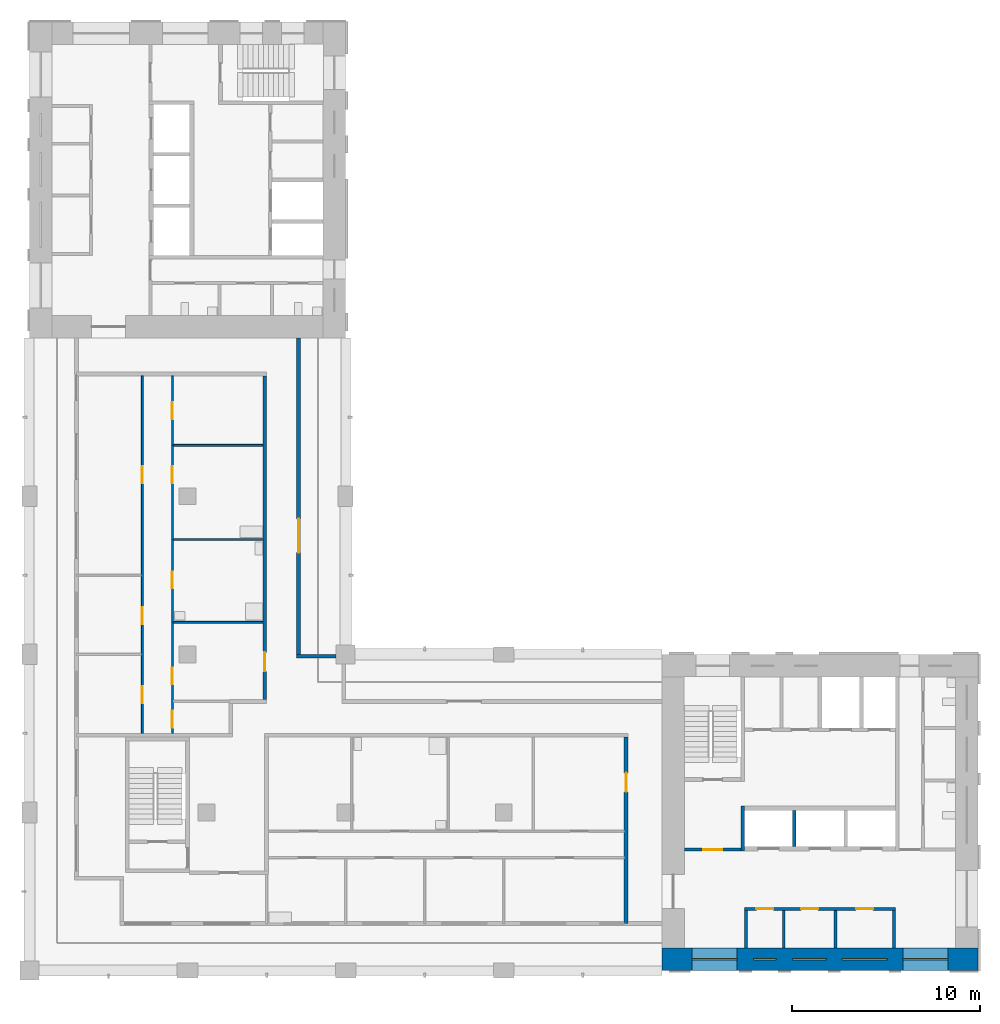
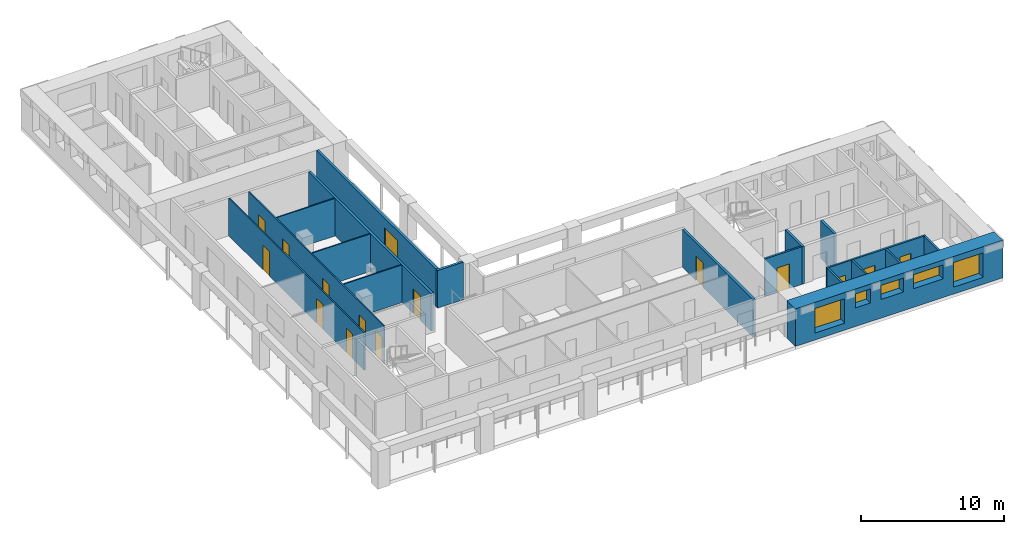
# One storey, part 3 of 9: 18 walls, 15 doors, 5 windows, 20 openings.
"""IFC4 building model written with IfcOpenShell, lengths in metres."""

from ifc_helpers import new_model, si_unit, direction, frame, frame_2d, origin, place, context, subcontext, project, spatial, rectangle, extrude, material, layer, layer_set, type_object, element, fill, save


model = new_model("IFC4")

# Units and contexts
model_context = context("Model", 3, precision=1e-05, world=origin(), true_north=direction((0.0, 1.0)))
body_context = subcontext(model_context, "Body", "Model", "MODEL_VIEW")
ifc_project = project(units=[si_unit("LENGTHUNIT", "METRE"), si_unit("AREAUNIT", "SQUARE_METRE"), si_unit("VOLUMEUNIT", "CUBIC_METRE"), si_unit("PLANEANGLEUNIT", "RADIAN"), si_unit("MASSUNIT", "GRAM", prefix="KILO")], contexts=[model_context])

# Site, building, storey
site_placement = place(None, origin())
site = spatial("IfcSite", under=ifc_project, at=site_placement, CompositionType="ELEMENT")
building_placement = place(site_placement, origin())
building = spatial("IfcBuilding", under=site, at=building_placement, Name="Vermilion Gate Residences", CompositionType="ELEMENT")
storey_placement = place(building_placement, frame((0.0, 0.0, 228.199951171875)))
storey = spatial("IfcBuildingStorey", under=building, at=storey_placement, Name="L59", CompositionType="ELEMENT", Elevation=228.199951171875)

# Walls
ifc_material_1 = material(Name="Masonry blockwork", Category="masonry")
ifc_layer_1 = layer(ifc_material_1, 0.14990234375)
ifc_layer_set_1 = layer_set([ifc_layer_1], Name="BLOCKWORK PARTITION 150 EI 120")
wall_type_1 = type_object("IfcWallType", Name="BLOCKWORK PARTITION 150 EI 120", PredefinedType="PARTITIONING", material=ifc_layer_set_1)
for number, where, z_axis, x_axis, name in (
    (1, (46.47509765625, 9.60009765625, 0.0), (0.0, 0.0, 1.0), (0.0, 1.0, 0.0), "Core room partition A59-RW-W"),
    (2, (54.324951171875, 9.60009765625, 0.0), (0.0, 0.0, 1.0), (0.0, 1.0, 0.0), "Core room partition A59-RW-E"),
    (3, (48.47509765625, 9.60009765625, 0.0), (0.0, 0.0, 1.0), (0.0, 1.0, 0.0), "Core room partition A59-SR-P0"),
    (4, (51.215087890625, 9.60009765625, 0.0), (0.0, 0.0, 1.0), (0.0, 1.0, 0.0), "Core room partition A59-SR-P1"),
):
    element("IfcWall", number, at=place(storey_placement, frame(where, z_axis=z_axis, x_axis=x_axis)), inside=storey, type_object=wall_type_1, Name=name, PredefinedType="PARTITIONING", context=body_context, shape_type="SweptSolid", body=[
        extrude(rectangle(XDim=2.0, YDim=0.14990234375, at=frame_2d((1.0, 0.0))), origin(), (0.0, 0.0, 1.0), 3.219970703125),
    ])

# Wall, openings, doors
wall_1_placement = place(storey_placement, frame((46.39990234375, 11.675048828125, 0.0), z_axis=(0.0, 0.0, 1.0), x_axis=(1.0, 0.0, 0.0)))
wall_1 = element("IfcWall", 5, at=wall_1_placement, inside=storey, type_object=wall_type_1, Name="Core room partition A59-LR-F", PredefinedType="PARTITIONING", context=body_context, shape_type="SweptSolid", body=[
    extrude(rectangle(XDim=8.0, YDim=0.14990234375, at=frame_2d((4.0, 0.0))), origin(), (0.0, 0.0, 1.0), 3.219970703125),
])
opening_1_placement = place(wall_1_placement, frame((0.625, 0.0, 0.0)))
opening_1 = element("IfcOpeningElement", 6, at=opening_1_placement, cuts=wall_1, Name="Opening DK59002", PredefinedType="OPENING", context=body_context, shape_type="SweptSolid", body=[
    extrude(rectangle(XDim=0.89990234375, YDim=2.10009765625, at=frame_2d((0.449951171875, 1.050048828125))), frame((0.0, 0.0849609375, 0.0), z_axis=(0.0, -1.0, 0.0), x_axis=(1.0, 0.0, 0.0)), (0.0, 0.0, 1.0), 0.169921875),
])
opening_2_placement = place(wall_1_placement, frame((2.9951171875, 0.0, 0.0)))
opening_2 = element("IfcOpeningElement", 7, at=opening_2_placement, cuts=wall_1, Name="Opening DK59003", PredefinedType="OPENING", context=body_context, shape_type="SweptSolid", body=[
    extrude(rectangle(XDim=0.89990234375, YDim=2.10009765625, at=frame_2d((0.449951171875, 1.050048828125))), frame((0.0, 0.0849609375, 0.0), z_axis=(0.0, -1.0, 0.0), x_axis=(1.0, 0.0, 0.0)), (0.0, 0.0, 1.0), 0.169921875),
])
opening_3_placement = place(wall_1_placement, frame((5.919921875, 0.0, 0.0)))
opening_3 = element("IfcOpeningElement", 8, at=opening_3_placement, cuts=wall_1, Name="Opening DK59004", PredefinedType="OPENING", context=body_context, shape_type="SweptSolid", body=[
    extrude(rectangle(XDim=0.89990234375, YDim=2.10009765625, at=frame_2d((0.449951171875, 1.050048828125))), frame((0.0, 0.0849609375, 0.0), z_axis=(0.0, -1.0, 0.0), x_axis=(1.0, 0.0, 0.0)), (0.0, 0.0, 1.0), 0.169921875),
])
ifc_material_2 = material(Name="Steel", Category="steel")
door_type_1 = type_object("IfcDoorType", Name="SERVICE ROOM DOOR FD60 900 X 2100", OperationType="SINGLE_SWING_LEFT", PredefinedType="DOOR", material=ifc_material_2)
door_1_placement = place(opening_1_placement, frame((0.89990234375, 0.0, 0.0), z_axis=(0.0, 0.0, 1.0), x_axis=(-1.0, 0.0, 0.0)))
door_1 = element("IfcDoor", 9, at=door_1_placement, inside=storey, type_object=door_type_1, Name="Mail room A59", OperationType="SINGLE_SWING_RIGHT", OverallHeight=2.10009765625, OverallWidth=0.89990234375, PredefinedType="DOOR", context=body_context, shape_type="SweptSolid", body=[
    extrude(rectangle(XDim=0.89990234375, YDim=2.10009765625, at=frame_2d((0.449951171875, 1.050048828125))), frame((0.0, 0.02490234375, 0.0), z_axis=(0.0, -1.0, 0.0), x_axis=(1.0, 0.0, 0.0)), (0.0, 0.0, 1.0), 0.050048828125),
])
fill(opening_1, door_1)
door_2_placement = place(opening_2_placement, frame((0.89990234375, 0.0, 0.0), z_axis=(0.0, 0.0, 1.0), x_axis=(-1.0, 0.0, 0.0)))
door_2 = element("IfcDoor", 10, at=door_2_placement, inside=storey, type_object=door_type_1, Name="Cleaner's store A59", OperationType="SINGLE_SWING_RIGHT", OverallHeight=2.10009765625, OverallWidth=0.89990234375, PredefinedType="DOOR", context=body_context, shape_type="SweptSolid", body=[
    extrude(rectangle(XDim=0.89990234375, YDim=2.10009765625, at=frame_2d((0.449951171875, 1.050048828125))), frame((0.0, 0.02490234375, 0.0), z_axis=(0.0, -1.0, 0.0), x_axis=(1.0, 0.0, 0.0)), (0.0, 0.0, 1.0), 0.050048828125),
])
fill(opening_2, door_2)
door_3_placement = place(opening_3_placement, origin())
door_3 = element("IfcDoor", 11, at=door_3_placement, inside=storey, type_object=door_type_1, Name="Electrical room A59", OperationType="SINGLE_SWING_LEFT", OverallHeight=2.10009765625, OverallWidth=0.89990234375, PredefinedType="DOOR", context=body_context, shape_type="SweptSolid", body=[
    extrude(rectangle(XDim=0.89990234375, YDim=2.10009765625, at=frame_2d((0.449951171875, 1.050048828125))), frame((0.0, 0.02490234375, 0.0), z_axis=(0.0, -1.0, 0.0), x_axis=(1.0, 0.0, 0.0)), (0.0, 0.0, 1.0), 0.050048828125),
])
fill(opening_3, door_3)

# Wall, opening, door
wall_2_placement = place(storey_placement, frame((43.199951171875, 14.824951171875, 0.0), z_axis=(0.0, 0.0, 1.0), x_axis=(1.0, 0.0, 0.0)))
wall_2 = element("IfcWall", 12, at=wall_2_placement, inside=storey, type_object=wall_type_1, Name="Core room partition A59-VW-S", PredefinedType="PARTITIONING", context=body_context, shape_type="SweptSolid", body=[
    extrude(rectangle(XDim=3.0, YDim=0.14990234375, at=frame_2d((1.5, 0.0))), origin(), (0.0, 0.0, 1.0), 3.219970703125),
])
opening_4_placement = place(wall_2_placement, frame((1.0, 0.0, 0.0)))
opening_4 = element("IfcOpeningElement", 13, at=opening_4_placement, cuts=wall_2, Name="Opening DK59012", PredefinedType="OPENING", context=body_context, shape_type="SweptSolid", body=[
    extrude(rectangle(XDim=1.0, YDim=2.10009765625, at=frame_2d((0.5, 1.050048828125))), frame((0.0, 0.0849609375, 0.0), z_axis=(0.0, -1.0, 0.0), x_axis=(1.0, 0.0, 0.0)), (0.0, 0.0, 1.0), 0.169921875),
])
ifc_material_3 = material(Name="Steel", Category="steel")
door_type_2 = type_object("IfcDoorType", Name="FIRE DOOR FD60 1000 X 2100", OperationType="SINGLE_SWING_LEFT", PredefinedType="DOOR", material=ifc_material_3)
door_4_placement = place(opening_4_placement, frame((1.0, 0.0, 0.0), z_axis=(0.0, 0.0, 1.0), x_axis=(-1.0, 0.0, 0.0)))
door_4 = element("IfcDoor", 14, at=door_4_placement, inside=storey, type_object=door_type_2, Name="Stair vestibule door A59", OperationType="SINGLE_SWING_RIGHT", OverallHeight=2.10009765625, OverallWidth=1.0, PredefinedType="DOOR", context=body_context, shape_type="SweptSolid", body=[
    extrude(rectangle(XDim=1.0, YDim=2.10009765625, at=frame_2d((0.5, 1.050048828125))), frame((0.0, 0.02490234375, 0.0), z_axis=(0.0, -1.0, 0.0), x_axis=(1.0, 0.0, 0.0)), (0.0, 0.0, 1.0), 0.050048828125),
])
fill(opening_4, door_4)

# Wall
ifc_material_4 = material(Name="Insulated steel stud wall with terracotta rainscreen", Category="masonry")
ifc_layer_2 = layer(ifc_material_4, 0.199951171875)
ifc_layer_set_2 = layer_set([ifc_layer_2], Name="EXTERNAL WALL 200 TERRACOTTA RAINSCREEN")
wall_type_2 = type_object("IfcWallType", Name="EXTERNAL WALL 200 TERRACOTTA RAINSCREEN", PredefinedType="SOLIDWALL", material=ifc_layer_set_2)
wall_3_placement = place(storey_placement, frame((24.699951171875, 25.10009765625, 0.0), z_axis=(0.0, 0.0, 1.0), x_axis=(-1.0, 0.0, 0.0)))
element("IfcWall", 15, at=wall_3_placement, inside=storey, type_object=wall_type_2, Name="External wall", PredefinedType="SOLIDWALL", context=body_context, shape_type="SweptSolid", body=[
    extrude(rectangle(XDim=2.099853515625, YDim=0.199951171875, at=frame_2d((1.0498046875, 0.0))), origin(), (0.0, 0.0, 1.0), 3.219970703125),
])

# Wall, opening, door
wall_4_placement = place(storey_placement, frame((22.699951171875, 25.199951171875, 0.0), z_axis=(0.0, 0.0, 1.0), x_axis=(0.0, 1.0, 0.0)))
wall_4 = element("IfcWall", 16, at=wall_4_placement, inside=storey, type_object=wall_type_2, Name="External wall", PredefinedType="SOLIDWALL", context=body_context, shape_type="SweptSolid", body=[
    extrude(rectangle(XDim=16.800048828125, YDim=0.199951171875, at=frame_2d((8.39990234375, 0.0))), origin(), (0.0, 0.0, 1.0), 3.219970703125),
])
opening_5_placement = place(wall_4_placement, frame((5.39990234375, 0.0, 0.0)))
opening_5 = element("IfcOpeningElement", 17, at=opening_5_placement, cuts=wall_4, Name="Opening DE59016", PredefinedType="OPENING", context=body_context, shape_type="SweptSolid", body=[
    extrude(rectangle(XDim=1.800048828125, YDim=2.39990234375, at=frame_2d((0.89990234375, 1.199951171875))), frame((0.0, 0.10986328125, 0.0), z_axis=(0.0, -1.0, 0.0), x_axis=(1.0, 0.0, 0.0)), (0.0, 0.0, 1.0), 0.219970703125),
])
ifc_material_5 = material(Name="Aluminium and clear glass", Category="aluminium")
door_type_3 = type_object("IfcDoorType", Name="GLAZED EXTERNAL DOOR 1800 X 2400", OperationType="DOUBLE_DOOR_SINGLE_SWING", PredefinedType="DOOR", material=ifc_material_5)
door_5_placement = place(opening_5_placement, frame((1.800048828125, 0.0, 0.0), z_axis=(0.0, 0.0, 1.0), x_axis=(-1.0, 0.0, 0.0)))
door_5 = element("IfcDoor", 18, at=door_5_placement, inside=storey, type_object=door_type_3, Name="Gallery door", OperationType="DOUBLE_DOOR_SINGLE_SWING", OverallHeight=2.39990234375, OverallWidth=1.800048828125, PredefinedType="DOOR", context=body_context, shape_type="SweptSolid", body=[
    extrude(rectangle(XDim=1.800048828125, YDim=2.39990234375, at=frame_2d((0.89990234375, 1.199951171875))), frame((0.0, 0.02490234375, 0.0), z_axis=(0.0, -1.0, 0.0), x_axis=(1.0, 0.0, 0.0)), (0.0, 0.0, 1.0), 0.050048828125),
])
fill(opening_5, door_5)

# Walls
ifc_material_6 = material(Name="Plasterboard on steel studs", Category="steel")
ifc_layer_3 = layer(ifc_material_6, 0.10009765625)
ifc_layer_set_3 = layer_set([ifc_layer_3], Name="PARTITION 100")
wall_type_3 = type_object("IfcWallType", Name="PARTITION 100", PredefinedType="PARTITIONING", material=ifc_layer_set_3)
for number, where, z_axis, x_axis, name in (
    (19, (16.050048828125, 26.89990234375, 0.0), (0.0, 0.0, 1.0), (1.0, 0.0, 0.0), "Partition"),
    (20, (16.050048828125, 31.300048828125, 0.0), (0.0, 0.0, 1.0), (1.0, 0.0, 0.0), "Partition"),
    (21, (16.050048828125, 36.300048828125, 0.0), (0.0, 0.0, 1.0), (1.0, 0.0, 0.0), "Partition"),
):
    element("IfcWall", number, at=place(storey_placement, frame(where, z_axis=z_axis, x_axis=x_axis)), inside=storey, type_object=wall_type_3, Name=name, PredefinedType="PARTITIONING", context=body_context, shape_type="SweptSolid", body=[
        extrude(rectangle(XDim=4.75, YDim=0.10009765625, at=frame_2d((2.375, 0.0))), origin(), (0.0, 0.0, 1.0), 3.219970703125),
    ])

# Wall, openings, doors
wall_5_placement = place(storey_placement, frame((14.39990234375, 21.0, 0.0), z_axis=(0.0, 0.0, 1.0), x_axis=(0.0, 1.0, 0.0)))
wall_5 = element("IfcWall", 22, at=wall_5_placement, inside=storey, type_object=wall_type_3, Name="Partition", PredefinedType="PARTITIONING", context=body_context, shape_type="SweptSolid", body=[
    extrude(rectangle(XDim=19.0, YDim=0.10009765625, at=frame_2d((9.5, 0.0))), origin(), (0.0, 0.0, 1.0), 3.219970703125),
])
opening_6_placement = place(wall_5_placement, frame((1.60009765625, 0.0, 0.0)))
opening_6 = element("IfcOpeningElement", 23, at=opening_6_placement, cuts=wall_5, Name="Opening DA58010", PredefinedType="OPENING", context=body_context, shape_type="SweptSolid", body=[
    extrude(rectangle(XDim=0.89990234375, YDim=2.10009765625, at=frame_2d((0.449951171875, 1.050048828125))), frame((0.0, 0.06005859375, 0.0), z_axis=(0.0, -1.0, 0.0), x_axis=(1.0, 0.0, 0.0)), (0.0, 0.0, 1.0), 0.1201171875),
])
opening_7_placement = place(wall_5_placement, frame((5.800048828125, 0.0, 0.0)))
opening_7 = element("IfcOpeningElement", 24, at=opening_7_placement, cuts=wall_5, Name="Opening DA58011", PredefinedType="OPENING", context=body_context, shape_type="SweptSolid", body=[
    extrude(rectangle(XDim=0.89990234375, YDim=2.10009765625, at=frame_2d((0.449951171875, 1.050048828125))), frame((0.0, 0.06005859375, 0.0), z_axis=(0.0, -1.0, 0.0), x_axis=(1.0, 0.0, 0.0)), (0.0, 0.0, 1.0), 0.1201171875),
])
opening_8_placement = place(wall_5_placement, frame((13.300048828125, 0.0, 0.0)))
opening_8 = element("IfcOpeningElement", 25, at=opening_8_placement, cuts=wall_5, Name="Opening DA58012", PredefinedType="OPENING", context=body_context, shape_type="SweptSolid", body=[
    extrude(rectangle(XDim=0.89990234375, YDim=2.10009765625, at=frame_2d((0.449951171875, 1.050048828125))), frame((0.0, 0.06005859375, 0.0), z_axis=(0.0, -1.0, 0.0), x_axis=(1.0, 0.0, 0.0)), (0.0, 0.0, 1.0), 0.1201171875),
])
ifc_material_7 = material(Name="Timber", Category="wood")
door_type_4 = type_object("IfcDoorType", Name="INTERIOR DOOR 900 X 2100", OperationType="SINGLE_SWING_LEFT", PredefinedType="DOOR", material=ifc_material_7)
door_6_placement = place(opening_6_placement, origin())
door_6 = element("IfcDoor", 26, at=door_6_placement, inside=storey, type_object=door_type_4, Name="Interior door", OperationType="SINGLE_SWING_LEFT", OverallHeight=2.10009765625, OverallWidth=0.89990234375, PredefinedType="DOOR", context=body_context, shape_type="SweptSolid", body=[
    extrude(rectangle(XDim=0.89990234375, YDim=2.10009765625, at=frame_2d((0.449951171875, 1.050048828125))), frame((0.0, 0.02490234375, 0.0), z_axis=(0.0, -1.0, 0.0), x_axis=(1.0, 0.0, 0.0)), (0.0, 0.0, 1.0), 0.050048828125),
])
fill(opening_6, door_6)
door_7_placement = place(opening_7_placement, origin())
door_7 = element("IfcDoor", 27, at=door_7_placement, inside=storey, type_object=door_type_4, Name="Interior door", OperationType="SINGLE_SWING_LEFT", OverallHeight=2.10009765625, OverallWidth=0.89990234375, PredefinedType="DOOR", context=body_context, shape_type="SweptSolid", body=[
    extrude(rectangle(XDim=0.89990234375, YDim=2.10009765625, at=frame_2d((0.449951171875, 1.050048828125))), frame((0.0, 0.02490234375, 0.0), z_axis=(0.0, -1.0, 0.0), x_axis=(1.0, 0.0, 0.0)), (0.0, 0.0, 1.0), 0.050048828125),
])
fill(opening_7, door_7)
door_8_placement = place(opening_8_placement, origin())
door_8 = element("IfcDoor", 28, at=door_8_placement, inside=storey, type_object=door_type_4, Name="Interior door", OperationType="SINGLE_SWING_LEFT", OverallHeight=2.10009765625, OverallWidth=0.89990234375, PredefinedType="DOOR", context=body_context, shape_type="SweptSolid", body=[
    extrude(rectangle(XDim=0.89990234375, YDim=2.10009765625, at=frame_2d((0.449951171875, 1.050048828125))), frame((0.0, 0.02490234375, 0.0), z_axis=(0.0, -1.0, 0.0), x_axis=(1.0, 0.0, 0.0)), (0.0, 0.0, 1.0), 0.050048828125),
])
fill(opening_8, door_8)

wall_6_placement = place(storey_placement, frame((16.0, 21.0, 0.0), z_axis=(0.0, 0.0, 1.0), x_axis=(0.0, 1.0, 0.0)))
wall_6 = element("IfcWall", 29, at=wall_6_placement, inside=storey, type_object=wall_type_3, Name="Partition", PredefinedType="PARTITIONING", context=body_context, shape_type="SweptSolid", body=[
    extrude(rectangle(XDim=19.0, YDim=0.10009765625, at=frame_2d((9.5, 0.0))), origin(), (0.0, 0.0, 1.0), 3.219970703125),
])
opening_9_placement = place(wall_6_placement, frame((2.60009765625, 0.0, 0.0)))
opening_9 = element("IfcOpeningElement", 30, at=opening_9_placement, cuts=wall_6, Name="Opening DA58013", PredefinedType="OPENING", context=body_context, shape_type="SweptSolid", body=[
    extrude(rectangle(XDim=0.89990234375, YDim=2.10009765625, at=frame_2d((0.449951171875, 1.050048828125))), frame((0.0, 0.06005859375, 0.0), z_axis=(0.0, -1.0, 0.0), x_axis=(1.0, 0.0, 0.0)), (0.0, 0.0, 1.0), 0.1201171875),
])
opening_10_placement = place(wall_6_placement, frame((0.300048828125, 0.0, 0.0)))
opening_10 = element("IfcOpeningElement", 31, at=opening_10_placement, cuts=wall_6, Name="Opening DA58014", PredefinedType="OPENING", context=body_context, shape_type="SweptSolid", body=[
    extrude(rectangle(XDim=0.89990234375, YDim=2.10009765625, at=frame_2d((0.449951171875, 1.050048828125))), frame((0.0, 0.06005859375, 0.0), z_axis=(0.0, -1.0, 0.0), x_axis=(1.0, 0.0, 0.0)), (0.0, 0.0, 1.0), 0.1201171875),
])
opening_11_placement = place(wall_6_placement, frame((7.699951171875, 0.0, 0.0)))
opening_11 = element("IfcOpeningElement", 32, at=opening_11_placement, cuts=wall_6, Name="Opening DA58015", PredefinedType="OPENING", context=body_context, shape_type="SweptSolid", body=[
    extrude(rectangle(XDim=0.89990234375, YDim=2.10009765625, at=frame_2d((0.449951171875, 1.050048828125))), frame((0.0, 0.06005859375, 0.0), z_axis=(0.0, -1.0, 0.0), x_axis=(1.0, 0.0, 0.0)), (0.0, 0.0, 1.0), 0.1201171875),
])
opening_12_placement = place(wall_6_placement, frame((13.300048828125, 0.0, 0.0)))
opening_12 = element("IfcOpeningElement", 33, at=opening_12_placement, cuts=wall_6, Name="Opening DA58016", PredefinedType="OPENING", context=body_context, shape_type="SweptSolid", body=[
    extrude(rectangle(XDim=0.89990234375, YDim=2.10009765625, at=frame_2d((0.449951171875, 1.050048828125))), frame((0.0, 0.06005859375, 0.0), z_axis=(0.0, -1.0, 0.0), x_axis=(1.0, 0.0, 0.0)), (0.0, 0.0, 1.0), 0.1201171875),
])
opening_13_placement = place(wall_6_placement, frame((16.699951171875, 0.0, 0.0)))
opening_13 = element("IfcOpeningElement", 34, at=opening_13_placement, cuts=wall_6, Name="Opening DA58017", PredefinedType="OPENING", context=body_context, shape_type="SweptSolid", body=[
    extrude(rectangle(XDim=0.89990234375, YDim=2.10009765625, at=frame_2d((0.449951171875, 1.050048828125))), frame((0.0, 0.06005859375, 0.0), z_axis=(0.0, -1.0, 0.0), x_axis=(1.0, 0.0, 0.0)), (0.0, 0.0, 1.0), 0.1201171875),
])
door_9_placement = place(opening_9_placement, frame((0.89990234375, 0.0, 0.0), z_axis=(0.0, 0.0, 1.0), x_axis=(-1.0, 0.0, 0.0)))
door_9 = element("IfcDoor", 35, at=door_9_placement, inside=storey, type_object=door_type_4, Name="Interior door", OperationType="SINGLE_SWING_RIGHT", OverallHeight=2.10009765625, OverallWidth=0.89990234375, PredefinedType="DOOR", context=body_context, shape_type="SweptSolid", body=[
    extrude(rectangle(XDim=0.89990234375, YDim=2.10009765625, at=frame_2d((0.449951171875, 1.050048828125))), frame((0.0, 0.02490234375, 0.0), z_axis=(0.0, -1.0, 0.0), x_axis=(1.0, 0.0, 0.0)), (0.0, 0.0, 1.0), 0.050048828125),
])
fill(opening_9, door_9)
door_10_placement = place(opening_10_placement, frame((0.89990234375, 0.0, 0.0), z_axis=(0.0, 0.0, 1.0), x_axis=(-1.0, 0.0, 0.0)))
door_10 = element("IfcDoor", 36, at=door_10_placement, inside=storey, type_object=door_type_4, Name="Interior door", OperationType="SINGLE_SWING_RIGHT", OverallHeight=2.10009765625, OverallWidth=0.89990234375, PredefinedType="DOOR", context=body_context, shape_type="SweptSolid", body=[
    extrude(rectangle(XDim=0.89990234375, YDim=2.10009765625, at=frame_2d((0.449951171875, 1.050048828125))), frame((0.0, 0.02490234375, 0.0), z_axis=(0.0, -1.0, 0.0), x_axis=(1.0, 0.0, 0.0)), (0.0, 0.0, 1.0), 0.050048828125),
])
fill(opening_10, door_10)
door_11_placement = place(opening_11_placement, frame((0.89990234375, 0.0, 0.0), z_axis=(0.0, 0.0, 1.0), x_axis=(-1.0, 0.0, 0.0)))
door_11 = element("IfcDoor", 37, at=door_11_placement, inside=storey, type_object=door_type_4, Name="Interior door", OperationType="SINGLE_SWING_RIGHT", OverallHeight=2.10009765625, OverallWidth=0.89990234375, PredefinedType="DOOR", context=body_context, shape_type="SweptSolid", body=[
    extrude(rectangle(XDim=0.89990234375, YDim=2.10009765625, at=frame_2d((0.449951171875, 1.050048828125))), frame((0.0, 0.02490234375, 0.0), z_axis=(0.0, -1.0, 0.0), x_axis=(1.0, 0.0, 0.0)), (0.0, 0.0, 1.0), 0.050048828125),
])
fill(opening_11, door_11)
door_12_placement = place(opening_12_placement, frame((0.89990234375, 0.0, 0.0), z_axis=(0.0, 0.0, 1.0), x_axis=(-1.0, 0.0, 0.0)))
door_12 = element("IfcDoor", 38, at=door_12_placement, inside=storey, type_object=door_type_4, Name="Interior door", OperationType="SINGLE_SWING_LEFT", OverallHeight=2.10009765625, OverallWidth=0.89990234375, PredefinedType="DOOR", context=body_context, shape_type="SweptSolid", body=[
    extrude(rectangle(XDim=0.89990234375, YDim=2.10009765625, at=frame_2d((0.449951171875, 1.050048828125))), frame((0.0, 0.02490234375, 0.0), z_axis=(0.0, -1.0, 0.0), x_axis=(1.0, 0.0, 0.0)), (0.0, 0.0, 1.0), 0.050048828125),
])
fill(opening_12, door_12)
door_13_placement = place(opening_13_placement, frame((0.89990234375, 0.0, 0.0), z_axis=(0.0, 0.0, 1.0), x_axis=(-1.0, 0.0, 0.0)))
door_13 = element("IfcDoor", 39, at=door_13_placement, inside=storey, type_object=door_type_4, Name="Interior door", OperationType="SINGLE_SWING_RIGHT", OverallHeight=2.10009765625, OverallWidth=0.89990234375, PredefinedType="DOOR", context=body_context, shape_type="SweptSolid", body=[
    extrude(rectangle(XDim=0.89990234375, YDim=2.10009765625, at=frame_2d((0.449951171875, 1.050048828125))), frame((0.0, 0.02490234375, 0.0), z_axis=(0.0, -1.0, 0.0), x_axis=(1.0, 0.0, 0.0)), (0.0, 0.0, 1.0), 0.050048828125),
])
fill(opening_13, door_13)

# Wall, opening, door
ifc_material_8 = material(Name="Fire-rated plasterboard on steel studs", Category="steel")
ifc_layer_4 = layer(ifc_material_8, 0.199951171875)
ifc_layer_set_4 = layer_set([ifc_layer_4], Name="PARTY WALL 200 EI 120")
wall_type_4 = type_object("IfcWallType", Name="PARTY WALL 200 EI 120", PredefinedType="PARTITIONING", material=ifc_layer_set_4)
wall_7_placement = place(storey_placement, frame((20.89990234375, 22.800048828125, 0.0), z_axis=(0.0, 0.0, 1.0), x_axis=(0.0, 1.0, 0.0)))
wall_7 = element("IfcWall", 40, at=wall_7_placement, inside=storey, type_object=wall_type_4, Name="Party and corridor wall", PredefinedType="PARTITIONING", context=body_context, shape_type="SweptSolid", body=[
    extrude(rectangle(XDim=17.199951171875, YDim=0.199951171875, at=frame_2d((8.60009765625, 0.0))), origin(), (0.0, 0.0, 1.0), 3.219970703125),
])
opening_14_placement = place(wall_7_placement, frame((1.5, 0.0, 0.0)))
opening_14 = element("IfcOpeningElement", 41, at=opening_14_placement, cuts=wall_7, Name="Opening DA58018", PredefinedType="OPENING", context=body_context, shape_type="SweptSolid", body=[
    extrude(rectangle(XDim=1.0, YDim=2.10009765625, at=frame_2d((0.5, 1.050048828125))), frame((0.0, 0.10986328125, 0.0), z_axis=(0.0, -1.0, 0.0), x_axis=(1.0, 0.0, 0.0)), (0.0, 0.0, 1.0), 0.219970703125),
])
ifc_material_9 = material(Name="Steel", Category="steel")
door_type_5 = type_object("IfcDoorType", Name="ENTRANCE DOOR 1000 X 2100 FD30", OperationType="SINGLE_SWING_LEFT", PredefinedType="DOOR", material=ifc_material_9)
door_14_placement = place(opening_14_placement, origin())
door_14 = element("IfcDoor", 42, at=door_14_placement, inside=storey, type_object=door_type_5, Name="Entrance door", OperationType="SINGLE_SWING_LEFT", OverallHeight=2.10009765625, OverallWidth=1.0, PredefinedType="DOOR", context=body_context, shape_type="SweptSolid", body=[
    extrude(rectangle(XDim=1.0, YDim=2.10009765625, at=frame_2d((0.5, 1.050048828125))), frame((0.0, 0.02490234375, 0.0), z_axis=(0.0, -1.0, 0.0), x_axis=(1.0, 0.0, 0.0)), (0.0, 0.0, 1.0), 0.050048828125),
])
fill(opening_14, door_14)

wall_8_placement = place(storey_placement, frame((40.10009765625, 10.89990234375, 0.0), z_axis=(0.0, 0.0, 1.0), x_axis=(0.0, 1.0, 0.0)))
wall_8 = element("IfcWall", 43, at=wall_8_placement, inside=storey, type_object=wall_type_4, Name="Party and corridor wall", PredefinedType="PARTITIONING", context=body_context, shape_type="SweptSolid", body=[
    extrude(rectangle(XDim=9.900146484375, YDim=0.199951171875, at=frame_2d((4.9501953125, 0.0))), origin(), (0.0, 0.0, 1.0), 3.219970703125),
])
opening_15_placement = place(wall_8_placement, frame((7.0, 0.0, 0.0)))
opening_15 = element("IfcOpeningElement", 44, at=opening_15_placement, cuts=wall_8, Name="Opening DA58019", PredefinedType="OPENING", context=body_context, shape_type="SweptSolid", body=[
    extrude(rectangle(XDim=1.0, YDim=2.10009765625, at=frame_2d((0.5, 1.050048828125))), frame((0.0, 0.10986328125, 0.0), z_axis=(0.0, -1.0, 0.0), x_axis=(1.0, 0.0, 0.0)), (0.0, 0.0, 1.0), 0.219970703125),
])
door_15_placement = place(opening_15_placement, origin())
door_15 = element("IfcDoor", 45, at=door_15_placement, inside=storey, type_object=door_type_5, Name="Entrance door", OperationType="SINGLE_SWING_RIGHT", OverallHeight=2.10009765625, OverallWidth=1.0, PredefinedType="DOOR", context=body_context, shape_type="SweptSolid", body=[
    extrude(rectangle(XDim=1.0, YDim=2.10009765625, at=frame_2d((0.5, 1.050048828125))), frame((0.0, 0.02490234375, 0.0), z_axis=(0.0, -1.0, 0.0), x_axis=(1.0, 0.0, 0.0)), (0.0, 0.0, 1.0), 0.050048828125),
])
fill(opening_15, door_15)

# Walls
ifc_material_10 = material(Name="Concrete C60", Category="concrete")
ifc_layer_5 = layer(ifc_material_10, 0.199951171875)
ifc_layer_set_5 = layer_set([ifc_layer_5], Name="RC CORE INTERNAL WALL 200 C60")
wall_type_5 = type_object("IfcWallType", Name="RC CORE INTERNAL WALL 200 C60", PredefinedType="SHEAR", material=ifc_layer_set_5)
wall_9_placement = place(storey_placement, frame((49.033447265625, 15.0, 0.0), z_axis=(0.0, 0.0, 1.0), x_axis=(0.0, 1.0, 0.0)))
element("IfcWall", 46, at=wall_9_placement, inside=storey, type_object=wall_type_5, Name="Core internal wall A59-HR-D1", PredefinedType="SHEAR", context=body_context, shape_type="SweptSolid", body=[
    extrude(rectangle(XDim=1.89990234375, YDim=0.199951171875, at=frame_2d((0.949951171875, 0.0))), origin(), (0.0, 0.0, 1.0), 3.219970703125),
])
wall_10_placement = place(storey_placement, frame((46.300048828125, 14.75, 0.0), z_axis=(0.0, 0.0, 1.0), x_axis=(0.0, 1.0, 0.0)))
element("IfcWall", 47, at=wall_10_placement, inside=storey, type_object=wall_type_5, Name="Core internal wall A59-WDIV1", PredefinedType="SHEAR", context=body_context, shape_type="SweptSolid", body=[
    extrude(rectangle(XDim=2.39990234375, YDim=0.199951171875, at=frame_2d((1.199951171875, 0.0))), origin(), (0.0, 0.0, 1.0), 3.219970703125),
])

# Wall, openings, windows
ifc_material_11 = material(Name="Concrete C50 red-oxide pigmented", Category="concrete")
ifc_layer_6 = layer(ifc_material_11, 1.199951171875)
ifc_layer_set_6 = layer_set([ifc_layer_6], Name="RC CORE WALL 1200 C50 RED OXIDE")
wall_type_6 = type_object("IfcWallType", Name="RC CORE WALL 1200 C50 RED OXIDE", PredefinedType="SHEAR", material=ifc_layer_set_6)
wall_11_placement = place(storey_placement, frame((42.0, 9.0, 0.0), z_axis=(0.0, 0.0, 1.0), x_axis=(1.0, 0.0, 0.0)))
wall_11 = element("IfcWall", 48, at=wall_11_placement, inside=storey, type_object=wall_type_6, Name="Core wall A59-OUT-B0", PredefinedType="SHEAR", context=body_context, shape_type="SweptSolid", body=[
    extrude(rectangle(XDim=16.800048828125, YDim=1.199951171875, at=frame_2d((8.39990234375, 0.0))), origin(), (0.0, 0.0, 1.0), 3.219970703125),
])
opening_16_placement = place(wall_11_placement, frame((1.60009765625, 0.0, 0.60009765625)))
opening_16 = element("IfcOpeningElement", 49, at=opening_16_placement, cuts=wall_11, Name="Opening WKA5901", PredefinedType="OPENING", context=body_context, shape_type="SweptSolid", body=[
    extrude(rectangle(XDim=2.39990234375, YDim=2.10009765625, at=frame_2d((1.199951171875, 1.050048828125))), frame((0.0, 0.60986328125, 0.0), z_axis=(0.0, -1.0, 0.0), x_axis=(1.0, 0.0, 0.0)), (0.0, 0.0, 1.0), 1.219970703125),
])
opening_17_placement = place(wall_11_placement, frame((4.875, 0.0, 1.60009765625)))
opening_17 = element("IfcOpeningElement", 50, at=opening_17_placement, cuts=wall_11, Name="Opening WKA5902", PredefinedType="OPENING", context=body_context, shape_type="SweptSolid", body=[
    extrude(rectangle(XDim=1.199951171875, YDim=1.199951171875, at=frame_2d((0.60009765625, 0.60009765625))), frame((0.0, 0.60986328125, 0.0), z_axis=(0.0, -1.0, 0.0), x_axis=(1.0, 0.0, 0.0)), (0.0, 0.0, 1.0), 1.219970703125),
])
opening_18_placement = place(wall_11_placement, frame((6.945068359375, 0.0, 1.60009765625)))
opening_18 = element("IfcOpeningElement", 51, at=opening_18_placement, cuts=wall_11, Name="Opening WKA5903", PredefinedType="OPENING", context=body_context, shape_type="SweptSolid", body=[
    extrude(rectangle(XDim=1.800048828125, YDim=1.199951171875, at=frame_2d((0.89990234375, 0.60009765625))), frame((0.0, 0.60986328125, 0.0), z_axis=(0.0, -1.0, 0.0), x_axis=(1.0, 0.0, 0.0)), (0.0, 0.0, 1.0), 1.219970703125),
])
opening_19_placement = place(wall_11_placement, frame((9.570068359375, 0.0, 1.60009765625)))
opening_19 = element("IfcOpeningElement", 52, at=opening_19_placement, cuts=wall_11, Name="Opening WKA5904", PredefinedType="OPENING", context=body_context, shape_type="SweptSolid", body=[
    extrude(rectangle(XDim=2.39990234375, YDim=1.199951171875, at=frame_2d((1.199951171875, 0.60009765625))), frame((0.0, 0.60986328125, 0.0), z_axis=(0.0, -1.0, 0.0), x_axis=(1.0, 0.0, 0.0)), (0.0, 0.0, 1.0), 1.219970703125),
])
opening_20_placement = place(wall_11_placement, frame((12.800048828125, 0.0, 0.60009765625)))
opening_20 = element("IfcOpeningElement", 53, at=opening_20_placement, cuts=wall_11, Name="Opening WKA5905", PredefinedType="OPENING", context=body_context, shape_type="SweptSolid", body=[
    extrude(rectangle(XDim=2.39990234375, YDim=2.10009765625, at=frame_2d((1.199951171875, 1.050048828125))), frame((0.0, 0.60986328125, 0.0), z_axis=(0.0, -1.0, 0.0), x_axis=(1.0, 0.0, 0.0)), (0.0, 0.0, 1.0), 1.219970703125),
])
ifc_material_12 = material(Name="Aluminium and clear glass", Category="aluminium")
window_type_1 = type_object("IfcWindowType", Name="CORE LOBBY WINDOW 2400 X 2100", PartitioningType="SINGLE_PANEL", PredefinedType="WINDOW", material=ifc_material_12)
window_1_placement = place(opening_16_placement, origin())
window_1 = element("IfcWindow", 54, at=window_1_placement, inside=storey, type_object=window_type_1, Name="Core lobby window", OverallHeight=2.10009765625, OverallWidth=2.39990234375, PartitioningType="SINGLE_PANEL", PredefinedType="WINDOW", context=body_context, shape_type="SweptSolid", body=[
    extrude(rectangle(XDim=2.39990234375, YDim=2.10009765625, at=frame_2d((1.199951171875, 1.050048828125))), frame((0.0, 0.030029296875, 0.0), z_axis=(0.0, -1.0, 0.0), x_axis=(1.0, 0.0, 0.0)), (0.0, 0.0, 1.0), 0.06005859375),
])
fill(opening_16, window_1)
window_2_placement = place(opening_20_placement, origin())
window_2 = element("IfcWindow", 55, at=window_2_placement, inside=storey, type_object=window_type_1, Name="Core lobby window", OverallHeight=2.10009765625, OverallWidth=2.39990234375, PartitioningType="SINGLE_PANEL", PredefinedType="WINDOW", context=body_context, shape_type="SweptSolid", body=[
    extrude(rectangle(XDim=2.39990234375, YDim=2.10009765625, at=frame_2d((1.199951171875, 1.050048828125))), frame((0.0, 0.030029296875, 0.0), z_axis=(0.0, -1.0, 0.0), x_axis=(1.0, 0.0, 0.0)), (0.0, 0.0, 1.0), 0.06005859375),
])
fill(opening_20, window_2)
ifc_material_13 = material(Name="Aluminium frame with louvre blades", Category="aluminium")
window_type_2 = type_object("IfcWindowType", Name="CORE LOUVRE 1200 X 1200", PartitioningType="SINGLE_PANEL", PredefinedType="WINDOW", material=ifc_material_13)
window_3_placement = place(opening_17_placement, origin())
window_3 = element("IfcWindow", 56, at=window_3_placement, inside=storey, type_object=window_type_2, Name="Core louvre", OverallHeight=1.199951171875, OverallWidth=1.199951171875, PartitioningType="SINGLE_PANEL", PredefinedType="WINDOW", context=body_context, shape_type="SweptSolid", body=[
    extrude(rectangle(XDim=1.199951171875, YDim=1.199951171875, at=frame_2d((0.60009765625, 0.60009765625))), frame((0.0, 0.030029296875, 0.0), z_axis=(0.0, -1.0, 0.0), x_axis=(1.0, 0.0, 0.0)), (0.0, 0.0, 1.0), 0.06005859375),
])
fill(opening_17, window_3)
ifc_material_14 = material(Name="Aluminium frame with louvre blades", Category="aluminium")
window_type_3 = type_object("IfcWindowType", Name="CORE LOUVRE 1800 X 1200", PartitioningType="SINGLE_PANEL", PredefinedType="WINDOW", material=ifc_material_14)
window_4_placement = place(opening_18_placement, origin())
window_4 = element("IfcWindow", 57, at=window_4_placement, inside=storey, type_object=window_type_3, Name="Core louvre", OverallHeight=1.199951171875, OverallWidth=1.800048828125, PartitioningType="SINGLE_PANEL", PredefinedType="WINDOW", context=body_context, shape_type="SweptSolid", body=[
    extrude(rectangle(XDim=1.800048828125, YDim=1.199951171875, at=frame_2d((0.89990234375, 0.60009765625))), frame((0.0, 0.030029296875, 0.0), z_axis=(0.0, -1.0, 0.0), x_axis=(1.0, 0.0, 0.0)), (0.0, 0.0, 1.0), 0.06005859375),
])
fill(opening_18, window_4)
ifc_material_15 = material(Name="Aluminium frame with louvre blades", Category="aluminium")
window_type_4 = type_object("IfcWindowType", Name="CORE LOUVRE 2400 X 1200", PartitioningType="SINGLE_PANEL", PredefinedType="WINDOW", material=ifc_material_15)
window_5_placement = place(opening_19_placement, origin())
window_5 = element("IfcWindow", 58, at=window_5_placement, inside=storey, type_object=window_type_4, Name="Core louvre", OverallHeight=1.199951171875, OverallWidth=2.39990234375, PartitioningType="SINGLE_PANEL", PredefinedType="WINDOW", context=body_context, shape_type="SweptSolid", body=[
    extrude(rectangle(XDim=2.39990234375, YDim=1.199951171875, at=frame_2d((1.199951171875, 0.60009765625))), frame((0.0, 0.030029296875, 0.0), z_axis=(0.0, -1.0, 0.0), x_axis=(1.0, 0.0, 0.0)), (0.0, 0.0, 1.0), 0.06005859375),
])
fill(opening_19, window_5)

save(model, "model.ifc")
